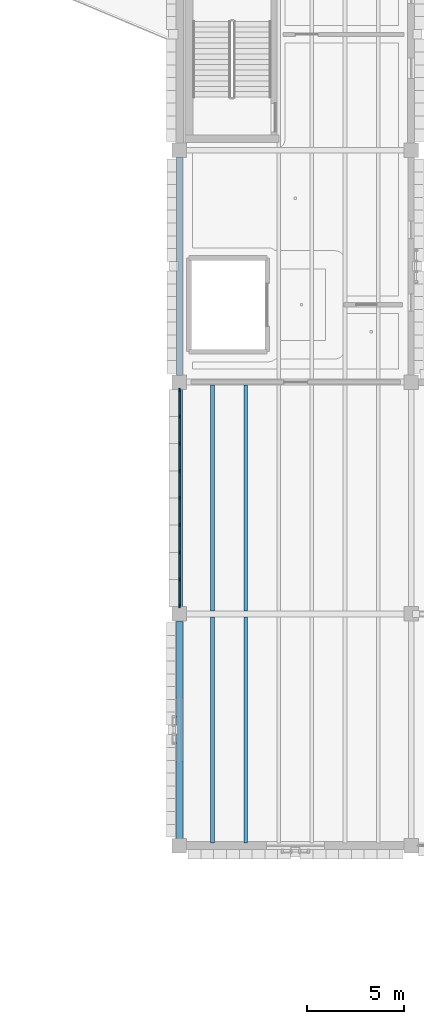
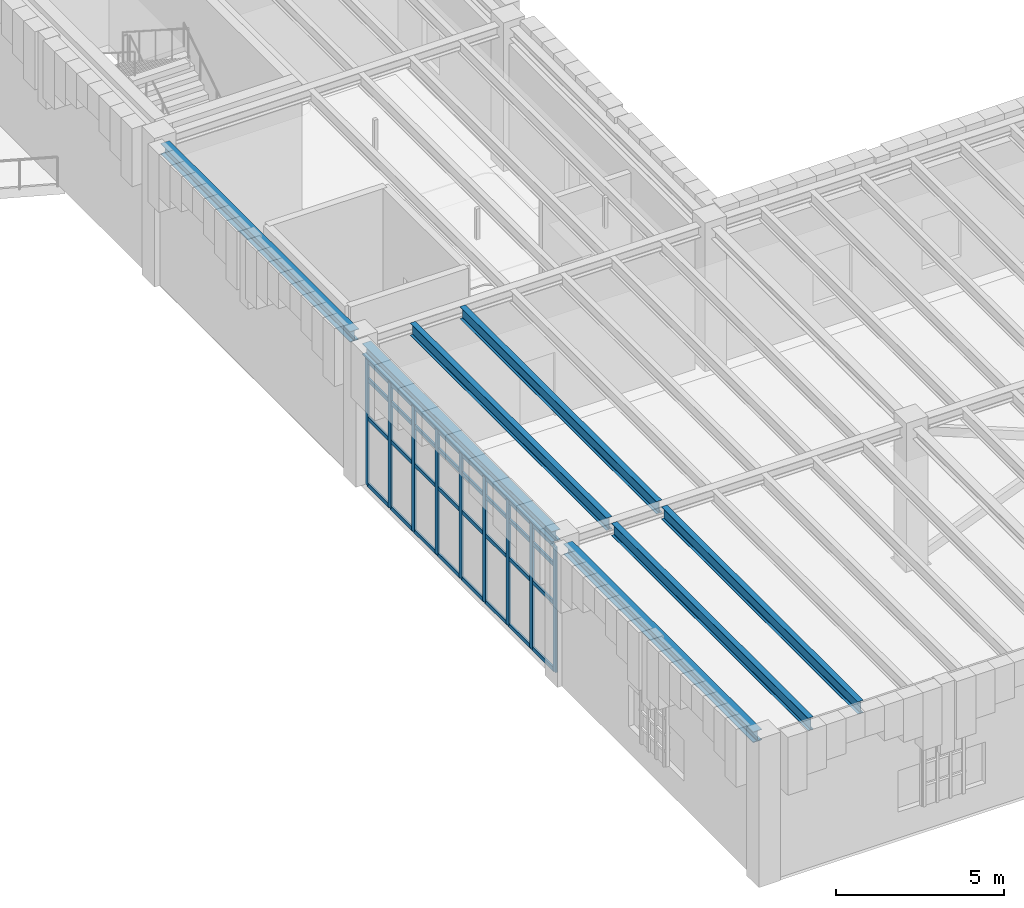
# One storey, part 16 of 103: 41 members, 7 beams, 1 element without a shape of its own.
"""IFC4 building model written with IfcOpenShell, lengths in metres."""

from ifc_helpers import new_model, si_unit, direction, frame, origin, origin_2d, place, context, subcontext, project, spatial, rectangle, i_section, extrude, material, layer, layer_set, material_profile, profile_set, type_object, element, aggregate, save


model = new_model("IFC4")

# Units and contexts
model_context = context("Model", 3, precision=1e-05, world=origin(), true_north=direction((0.0, 1.0)))
body_context = subcontext(model_context, "Body", "Model", "MODEL_VIEW")
ifc_project = project(units=[si_unit("LENGTHUNIT", "METRE"), si_unit("AREAUNIT", "SQUARE_METRE"), si_unit("VOLUMEUNIT", "CUBIC_METRE"), si_unit("PLANEANGLEUNIT", "RADIAN"), si_unit("MASSUNIT", "GRAM", prefix="KILO")], contexts=[model_context])

# Site, building, storey
site_placement = place(None, origin())
site = spatial("IfcSite", under=ifc_project, at=site_placement, CompositionType="ELEMENT")
building_placement = place(site_placement, origin())
building = spatial("IfcBuilding", under=site, at=building_placement, Name="Zlatogorsky Bluff Art Gallery", CompositionType="ELEMENT")
storey_placement = place(building_placement, origin())
storey = spatial("IfcBuildingStorey", under=building, at=storey_placement, Name="L00", CompositionType="ELEMENT", Elevation=0.0)

# Beams
ifc_material_1 = material(Name="Steel S355", Category="steel")
ifc_material_profile_1 = material_profile(ifc_material_1, i_section(OverallWidth=0.300048828125, OverallDepth=0.389892578125, WebThickness=0.010986328125, FlangeThickness=0.01904296875, FilletRadius=0.027099609375, at=origin_2d()), Name="HEA 400")
ifc_profile_set_1 = profile_set([ifc_material_profile_1], Name="Steel S355")
beam_type_1 = type_object("IfcBeamType", Name="Beam BM-09 HEA 400", PredefinedType="BEAM", material=ifc_profile_set_1)
for number, where, z_axis, x_axis, name in (
    (1, (120.0, 26.7548828125, 4.945068359375), (0.0, 1.0, 0.0), (-1.0, 0.0, 0.0), "Primary girder BM-09 L00 L/4-5"),
    (2, (120.0, 38.7548828125, 4.945068359375), (0.0, 1.0, 0.0), (-1.0, 0.0, 0.0), "Primary girder BM-09 L00 L/5-6"),
    (3, (120.0, 50.7548828125, 4.945068359375), (0.0, 1.0, 0.0), (-1.0, 0.0, 0.0), "Primary girder BM-09 L00 L/6-7"),
):
    element("IfcBeam", number, at=place(storey_placement, frame(where, z_axis=z_axis, x_axis=x_axis)), inside=storey, type_object=beam_type_1, Name=name, PredefinedType="BEAM", context=body_context, shape_type="SweptSolid", body=[
        extrude(i_section(OverallWidth=0.300048828125, OverallDepth=0.389892578125, WebThickness=0.010986328125, FlangeThickness=0.01904296875, FilletRadius=0.027099609375, at=origin_2d()), origin(), (0.0, 0.0, 1.0), 11.2900390625),
    ])
ifc_material_profile_2 = material_profile(ifc_material_1, i_section(OverallWidth=0.18994140625, OverallDepth=0.449951171875, WebThickness=0.009521484375, FlangeThickness=0.0146484375, FilletRadius=0.02099609375, at=origin_2d()), Name="IPE 450")
ifc_profile_set_2 = profile_set([ifc_material_profile_2], Name="Steel S355")
beam_type_2 = type_object("IfcBeamType", Name="Beam JS-06 IPE 450", PredefinedType="JOIST", material=ifc_profile_set_2)
for number, where, z_axis, x_axis, name in (
    (4, (121.71435546875, 26.550048828125, 4.9150390625), (0.0, 1.0, 0.0), (-1.0, 0.0, 0.0), "Composite floor joist JS-06 L00 10.03.1"),
    (5, (123.428466796875, 26.550048828125, 4.9150390625), (0.0, 1.0, 0.0), (-1.0, 0.0, 0.0), "Composite floor joist JS-06 L00 10.03.2"),
    (6, (121.71435546875, 38.550048828125, 4.9150390625), (0.0, 1.0, 0.0), (-1.0, 0.0, 0.0), "Composite floor joist JS-06 L00 10.04.1"),
    (7, (123.428466796875, 38.550048828125, 4.9150390625), (0.0, 1.0, 0.0), (-1.0, 0.0, 0.0), "Composite floor joist JS-06 L00 10.04.2"),
):
    element("IfcBeam", number, at=place(storey_placement, frame(where, z_axis=z_axis, x_axis=x_axis)), inside=storey, type_object=beam_type_2, Name=name, PredefinedType="JOIST", context=body_context, shape_type="SweptSolid", body=[
        extrude(i_section(OverallWidth=0.18994140625, OverallDepth=0.449951171875, WebThickness=0.009521484375, FlangeThickness=0.0146484375, FilletRadius=0.02099609375, at=origin_2d()), origin(), (0.0, 0.0, 1.0), 11.699951171875),
    ])

# Curtain wall, members
ifc_material_2 = material(Name="Anodised Bronze Aluminium and Low-Iron Triple Glazing", Category="aluminium")
ifc_layer = layer(ifc_material_2, 0.179931640625)
ifc_layer_set = layer_set([ifc_layer], Name="Curtain Wall CW-01")
curtain_wall_type = type_object("IfcCurtainWallType", Name="Curtain Wall CW-01", PredefinedType="USERDEFINED", material=ifc_layer_set)
curtain_wall_placement = place(storey_placement, origin())
curtain_wall = element("IfcCurtainWall", 8, at=curtain_wall_placement, inside=storey, type_object=curtain_wall_type, Name="Unitised curtain wall CW-01 L00 W 10.4", ObjectType="CURTAIN WALL", PredefinedType="USERDEFINED")
ifc_material_3 = material(Name="Anodised Bronze Aluminium", Category="aluminium")
ifc_material_profile_3 = material_profile(ifc_material_3, rectangle(XDim=0.06494140625, YDim=0.179931640625, at=origin_2d()), Name="ALU MULLION 65x180")
ifc_profile_set_3 = profile_set([ifc_material_profile_3], Name="Anodised Bronze Aluminium")
member_type_1 = type_object("IfcMemberType", Name="Curtain Mullion ML-01", PredefinedType="MULLION", material=ifc_profile_set_3)
member_1_placement = place(storey_placement, frame((120.0, 49.99755859375, 0.0), z_axis=(0.0, 0.0, 1.0), x_axis=(1.0, 0.0, 0.0)))
member_1 = element("IfcMember", 9, at=member_1_placement, type_object=member_type_1, Name="CW-01 mullion 1", PredefinedType="MULLION", context=body_context, shape_type="SweptSolid", body=[
    extrude(rectangle(XDim=0.06494140625, YDim=0.179931640625, at=origin_2d()), origin(), (0.0, 0.0, 1.0), 4.56005859375),
])
member_2_placement = place(storey_placement, frame((120.0, 48.62255859375, 0.0), z_axis=(0.0, 0.0, 1.0), x_axis=(1.0, 0.0, 0.0)))
member_2 = element("IfcMember", 10, at=member_2_placement, type_object=member_type_1, Name="CW-01 mullion 2", PredefinedType="MULLION", context=body_context, shape_type="SweptSolid", body=[
    extrude(rectangle(XDim=0.06494140625, YDim=0.179931640625, at=origin_2d()), origin(), (0.0, 0.0, 1.0), 4.56005859375),
])
member_3_placement = place(storey_placement, frame((120.0, 47.215087890625, 0.0), z_axis=(0.0, 0.0, 1.0), x_axis=(1.0, 0.0, 0.0)))
member_3 = element("IfcMember", 11, at=member_3_placement, type_object=member_type_1, Name="CW-01 mullion 3", PredefinedType="MULLION", context=body_context, shape_type="SweptSolid", body=[
    extrude(rectangle(XDim=0.06494140625, YDim=0.179931640625, at=origin_2d()), origin(), (0.0, 0.0, 1.0), 4.56005859375),
])
member_4_placement = place(storey_placement, frame((120.0, 45.8076171875, 0.0), z_axis=(0.0, 0.0, 1.0), x_axis=(1.0, 0.0, 0.0)))
member_4 = element("IfcMember", 12, at=member_4_placement, type_object=member_type_1, Name="CW-01 mullion 4", PredefinedType="MULLION", context=body_context, shape_type="SweptSolid", body=[
    extrude(rectangle(XDim=0.06494140625, YDim=0.179931640625, at=origin_2d()), origin(), (0.0, 0.0, 1.0), 4.56005859375),
])
member_5_placement = place(storey_placement, frame((120.0, 44.39990234375, 0.0), z_axis=(0.0, 0.0, 1.0), x_axis=(1.0, 0.0, 0.0)))
member_5 = element("IfcMember", 13, at=member_5_placement, type_object=member_type_1, Name="CW-01 mullion 5", PredefinedType="MULLION", context=body_context, shape_type="SweptSolid", body=[
    extrude(rectangle(XDim=0.06494140625, YDim=0.179931640625, at=origin_2d()), origin(), (0.0, 0.0, 1.0), 4.56005859375),
])
member_6_placement = place(storey_placement, frame((120.0, 42.992431640625, 0.0), z_axis=(0.0, 0.0, 1.0), x_axis=(1.0, 0.0, 0.0)))
member_6 = element("IfcMember", 14, at=member_6_placement, type_object=member_type_1, Name="CW-01 mullion 6", PredefinedType="MULLION", context=body_context, shape_type="SweptSolid", body=[
    extrude(rectangle(XDim=0.06494140625, YDim=0.179931640625, at=origin_2d()), origin(), (0.0, 0.0, 1.0), 4.56005859375),
])
member_7_placement = place(storey_placement, frame((120.0, 41.5849609375, 0.0), z_axis=(0.0, 0.0, 1.0), x_axis=(1.0, 0.0, 0.0)))
member_7 = element("IfcMember", 15, at=member_7_placement, type_object=member_type_1, Name="CW-01 mullion 7", PredefinedType="MULLION", context=body_context, shape_type="SweptSolid", body=[
    extrude(rectangle(XDim=0.06494140625, YDim=0.179931640625, at=origin_2d()), origin(), (0.0, 0.0, 1.0), 4.56005859375),
])
member_8_placement = place(storey_placement, frame((120.0, 40.177490234375, 0.0), z_axis=(0.0, 0.0, 1.0), x_axis=(1.0, 0.0, 0.0)))
member_8 = element("IfcMember", 16, at=member_8_placement, type_object=member_type_1, Name="CW-01 mullion 8", PredefinedType="MULLION", context=body_context, shape_type="SweptSolid", body=[
    extrude(rectangle(XDim=0.06494140625, YDim=0.179931640625, at=origin_2d()), origin(), (0.0, 0.0, 1.0), 4.56005859375),
])
member_9_placement = place(storey_placement, frame((120.0, 38.802490234375, 0.0), z_axis=(0.0, 0.0, 1.0), x_axis=(1.0, 0.0, 0.0)))
member_9 = element("IfcMember", 17, at=member_9_placement, type_object=member_type_1, Name="CW-01 mullion 9", PredefinedType="MULLION", context=body_context, shape_type="SweptSolid", body=[
    extrude(rectangle(XDim=0.06494140625, YDim=0.179931640625, at=origin_2d()), origin(), (0.0, 0.0, 1.0), 4.56005859375),
])
ifc_material_profile_4 = material_profile(ifc_material_3, rectangle(XDim=0.06494140625, YDim=0.139892578125, at=origin_2d()), Name="ALU TRANSOM 65x140")
ifc_profile_set_4 = profile_set([ifc_material_profile_4], Name="Anodised Bronze Aluminium")
member_type_2 = type_object("IfcMemberType", Name="Curtain Transom TR-01", PredefinedType="USERDEFINED", material=ifc_profile_set_4)
member_10_placement = place(storey_placement, frame((120.0, 49.965087890625, 0.032470703125), z_axis=(0.0, -1.0, 0.0), x_axis=(1.0, 0.0, 0.0)))
member_10 = element("IfcMember", 18, at=member_10_placement, type_object=member_type_2, Name="CW-01 transom 1.1", ObjectType="TRANSOM", PredefinedType="USERDEFINED", context=body_context, shape_type="SweptSolid", body=[
    extrude(rectangle(XDim=0.06494140625, YDim=0.139892578125, at=origin_2d()), origin(), (0.0, 0.0, 1.0), 1.31005859375),
])
member_11_placement = place(storey_placement, frame((120.0, 49.965087890625, 2.449951171875), z_axis=(0.0, -1.0, 0.0), x_axis=(1.0, 0.0, 0.0)))
member_11 = element("IfcMember", 19, at=member_11_placement, type_object=member_type_2, Name="CW-01 transom 1.2", ObjectType="TRANSOM", PredefinedType="USERDEFINED", context=body_context, shape_type="SweptSolid", body=[
    extrude(rectangle(XDim=0.06494140625, YDim=0.139892578125, at=origin_2d()), origin(), (0.0, 0.0, 1.0), 1.31005859375),
])
member_12_placement = place(storey_placement, frame((120.0, 49.965087890625, 3.85009765625), z_axis=(0.0, -1.0, 0.0), x_axis=(1.0, 0.0, 0.0)))
member_12 = element("IfcMember", 20, at=member_12_placement, type_object=member_type_2, Name="CW-01 transom 1.3", ObjectType="TRANSOM", PredefinedType="USERDEFINED", context=body_context, shape_type="SweptSolid", body=[
    extrude(rectangle(XDim=0.06494140625, YDim=0.139892578125, at=origin_2d()), origin(), (0.0, 0.0, 1.0), 1.31005859375),
])
member_13_placement = place(storey_placement, frame((120.0, 49.965087890625, 4.527587890625), z_axis=(0.0, -1.0, 0.0), x_axis=(1.0, 0.0, 0.0)))
member_13 = element("IfcMember", 21, at=member_13_placement, type_object=member_type_2, Name="CW-01 transom 1.4", ObjectType="TRANSOM", PredefinedType="USERDEFINED", context=body_context, shape_type="SweptSolid", body=[
    extrude(rectangle(XDim=0.06494140625, YDim=0.139892578125, at=origin_2d()), origin(), (0.0, 0.0, 1.0), 1.31005859375),
])
member_14_placement = place(storey_placement, frame((120.0, 48.590087890625, 0.032470703125), z_axis=(0.0, -1.0, 0.0), x_axis=(1.0, 0.0, 0.0)))
member_14 = element("IfcMember", 22, at=member_14_placement, type_object=member_type_2, Name="CW-01 transom 2.1", ObjectType="TRANSOM", PredefinedType="USERDEFINED", context=body_context, shape_type="SweptSolid", body=[
    extrude(rectangle(XDim=0.06494140625, YDim=0.139892578125, at=origin_2d()), origin(), (0.0, 0.0, 1.0), 1.342529296875),
])
member_15_placement = place(storey_placement, frame((120.0, 48.590087890625, 2.449951171875), z_axis=(0.0, -1.0, 0.0), x_axis=(1.0, 0.0, 0.0)))
member_15 = element("IfcMember", 23, at=member_15_placement, type_object=member_type_2, Name="CW-01 transom 2.2", ObjectType="TRANSOM", PredefinedType="USERDEFINED", context=body_context, shape_type="SweptSolid", body=[
    extrude(rectangle(XDim=0.06494140625, YDim=0.139892578125, at=origin_2d()), origin(), (0.0, 0.0, 1.0), 1.342529296875),
])
member_16_placement = place(storey_placement, frame((120.0, 48.590087890625, 3.85009765625), z_axis=(0.0, -1.0, 0.0), x_axis=(1.0, 0.0, 0.0)))
member_16 = element("IfcMember", 24, at=member_16_placement, type_object=member_type_2, Name="CW-01 transom 2.3", ObjectType="TRANSOM", PredefinedType="USERDEFINED", context=body_context, shape_type="SweptSolid", body=[
    extrude(rectangle(XDim=0.06494140625, YDim=0.139892578125, at=origin_2d()), origin(), (0.0, 0.0, 1.0), 1.342529296875),
])
member_17_placement = place(storey_placement, frame((120.0, 48.590087890625, 4.527587890625), z_axis=(0.0, -1.0, 0.0), x_axis=(1.0, 0.0, 0.0)))
member_17 = element("IfcMember", 25, at=member_17_placement, type_object=member_type_2, Name="CW-01 transom 2.4", ObjectType="TRANSOM", PredefinedType="USERDEFINED", context=body_context, shape_type="SweptSolid", body=[
    extrude(rectangle(XDim=0.06494140625, YDim=0.139892578125, at=origin_2d()), origin(), (0.0, 0.0, 1.0), 1.342529296875),
])
member_18_placement = place(storey_placement, frame((120.0, 47.1826171875, 0.032470703125), z_axis=(0.0, -1.0, 0.0), x_axis=(1.0, 0.0, 0.0)))
member_18 = element("IfcMember", 26, at=member_18_placement, type_object=member_type_2, Name="CW-01 transom 3.1", ObjectType="TRANSOM", PredefinedType="USERDEFINED", context=body_context, shape_type="SweptSolid", body=[
    extrude(rectangle(XDim=0.06494140625, YDim=0.139892578125, at=origin_2d()), origin(), (0.0, 0.0, 1.0), 1.342529296875),
])
member_19_placement = place(storey_placement, frame((120.0, 47.1826171875, 2.449951171875), z_axis=(0.0, -1.0, 0.0), x_axis=(1.0, 0.0, 0.0)))
member_19 = element("IfcMember", 27, at=member_19_placement, type_object=member_type_2, Name="CW-01 transom 3.2", ObjectType="TRANSOM", PredefinedType="USERDEFINED", context=body_context, shape_type="SweptSolid", body=[
    extrude(rectangle(XDim=0.06494140625, YDim=0.139892578125, at=origin_2d()), origin(), (0.0, 0.0, 1.0), 1.342529296875),
])
member_20_placement = place(storey_placement, frame((120.0, 47.1826171875, 3.85009765625), z_axis=(0.0, -1.0, 0.0), x_axis=(1.0, 0.0, 0.0)))
member_20 = element("IfcMember", 28, at=member_20_placement, type_object=member_type_2, Name="CW-01 transom 3.3", ObjectType="TRANSOM", PredefinedType="USERDEFINED", context=body_context, shape_type="SweptSolid", body=[
    extrude(rectangle(XDim=0.06494140625, YDim=0.139892578125, at=origin_2d()), origin(), (0.0, 0.0, 1.0), 1.342529296875),
])
member_21_placement = place(storey_placement, frame((120.0, 47.1826171875, 4.527587890625), z_axis=(0.0, -1.0, 0.0), x_axis=(1.0, 0.0, 0.0)))
member_21 = element("IfcMember", 29, at=member_21_placement, type_object=member_type_2, Name="CW-01 transom 3.4", ObjectType="TRANSOM", PredefinedType="USERDEFINED", context=body_context, shape_type="SweptSolid", body=[
    extrude(rectangle(XDim=0.06494140625, YDim=0.139892578125, at=origin_2d()), origin(), (0.0, 0.0, 1.0), 1.342529296875),
])
member_22_placement = place(storey_placement, frame((120.0, 45.77490234375, 0.032470703125), z_axis=(0.0, -1.0, 0.0), x_axis=(1.0, 0.0, 0.0)))
member_22 = element("IfcMember", 30, at=member_22_placement, type_object=member_type_2, Name="CW-01 transom 4.1", ObjectType="TRANSOM", PredefinedType="USERDEFINED", context=body_context, shape_type="SweptSolid", body=[
    extrude(rectangle(XDim=0.06494140625, YDim=0.139892578125, at=origin_2d()), origin(), (0.0, 0.0, 1.0), 1.34228515625),
])
member_23_placement = place(storey_placement, frame((120.0, 45.77490234375, 2.449951171875), z_axis=(0.0, -1.0, 0.0), x_axis=(1.0, 0.0, 0.0)))
member_23 = element("IfcMember", 31, at=member_23_placement, type_object=member_type_2, Name="CW-01 transom 4.2", ObjectType="TRANSOM", PredefinedType="USERDEFINED", context=body_context, shape_type="SweptSolid", body=[
    extrude(rectangle(XDim=0.06494140625, YDim=0.139892578125, at=origin_2d()), origin(), (0.0, 0.0, 1.0), 1.34228515625),
])
member_24_placement = place(storey_placement, frame((120.0, 45.77490234375, 3.85009765625), z_axis=(0.0, -1.0, 0.0), x_axis=(1.0, 0.0, 0.0)))
member_24 = element("IfcMember", 32, at=member_24_placement, type_object=member_type_2, Name="CW-01 transom 4.3", ObjectType="TRANSOM", PredefinedType="USERDEFINED", context=body_context, shape_type="SweptSolid", body=[
    extrude(rectangle(XDim=0.06494140625, YDim=0.139892578125, at=origin_2d()), origin(), (0.0, 0.0, 1.0), 1.34228515625),
])
member_25_placement = place(storey_placement, frame((120.0, 45.77490234375, 4.527587890625), z_axis=(0.0, -1.0, 0.0), x_axis=(1.0, 0.0, 0.0)))
member_25 = element("IfcMember", 33, at=member_25_placement, type_object=member_type_2, Name="CW-01 transom 4.4", ObjectType="TRANSOM", PredefinedType="USERDEFINED", context=body_context, shape_type="SweptSolid", body=[
    extrude(rectangle(XDim=0.06494140625, YDim=0.139892578125, at=origin_2d()), origin(), (0.0, 0.0, 1.0), 1.34228515625),
])
member_26_placement = place(storey_placement, frame((120.0, 44.367431640625, 0.032470703125), z_axis=(0.0, -1.0, 0.0), x_axis=(1.0, 0.0, 0.0)))
member_26 = element("IfcMember", 34, at=member_26_placement, type_object=member_type_2, Name="CW-01 transom 5.1", ObjectType="TRANSOM", PredefinedType="USERDEFINED", context=body_context, shape_type="SweptSolid", body=[
    extrude(rectangle(XDim=0.06494140625, YDim=0.139892578125, at=origin_2d()), origin(), (0.0, 0.0, 1.0), 1.342529296875),
])
member_27_placement = place(storey_placement, frame((120.0, 44.367431640625, 2.449951171875), z_axis=(0.0, -1.0, 0.0), x_axis=(1.0, 0.0, 0.0)))
member_27 = element("IfcMember", 35, at=member_27_placement, type_object=member_type_2, Name="CW-01 transom 5.2", ObjectType="TRANSOM", PredefinedType="USERDEFINED", context=body_context, shape_type="SweptSolid", body=[
    extrude(rectangle(XDim=0.06494140625, YDim=0.139892578125, at=origin_2d()), origin(), (0.0, 0.0, 1.0), 1.342529296875),
])
member_28_placement = place(storey_placement, frame((120.0, 44.367431640625, 3.85009765625), z_axis=(0.0, -1.0, 0.0), x_axis=(1.0, 0.0, 0.0)))
member_28 = element("IfcMember", 36, at=member_28_placement, type_object=member_type_2, Name="CW-01 transom 5.3", ObjectType="TRANSOM", PredefinedType="USERDEFINED", context=body_context, shape_type="SweptSolid", body=[
    extrude(rectangle(XDim=0.06494140625, YDim=0.139892578125, at=origin_2d()), origin(), (0.0, 0.0, 1.0), 1.342529296875),
])
member_29_placement = place(storey_placement, frame((120.0, 44.367431640625, 4.527587890625), z_axis=(0.0, -1.0, 0.0), x_axis=(1.0, 0.0, 0.0)))
member_29 = element("IfcMember", 37, at=member_29_placement, type_object=member_type_2, Name="CW-01 transom 5.4", ObjectType="TRANSOM", PredefinedType="USERDEFINED", context=body_context, shape_type="SweptSolid", body=[
    extrude(rectangle(XDim=0.06494140625, YDim=0.139892578125, at=origin_2d()), origin(), (0.0, 0.0, 1.0), 1.342529296875),
])
member_30_placement = place(storey_placement, frame((120.0, 42.9599609375, 0.032470703125), z_axis=(0.0, -1.0, 0.0), x_axis=(1.0, 0.0, 0.0)))
member_30 = element("IfcMember", 38, at=member_30_placement, type_object=member_type_2, Name="CW-01 transom 6.1", ObjectType="TRANSOM", PredefinedType="USERDEFINED", context=body_context, shape_type="SweptSolid", body=[
    extrude(rectangle(XDim=0.06494140625, YDim=0.139892578125, at=origin_2d()), origin(), (0.0, 0.0, 1.0), 1.342529296875),
])
member_31_placement = place(storey_placement, frame((120.0, 42.9599609375, 2.449951171875), z_axis=(0.0, -1.0, 0.0), x_axis=(1.0, 0.0, 0.0)))
member_31 = element("IfcMember", 39, at=member_31_placement, type_object=member_type_2, Name="CW-01 transom 6.2", ObjectType="TRANSOM", PredefinedType="USERDEFINED", context=body_context, shape_type="SweptSolid", body=[
    extrude(rectangle(XDim=0.06494140625, YDim=0.139892578125, at=origin_2d()), origin(), (0.0, 0.0, 1.0), 1.342529296875),
])
member_32_placement = place(storey_placement, frame((120.0, 42.9599609375, 3.85009765625), z_axis=(0.0, -1.0, 0.0), x_axis=(1.0, 0.0, 0.0)))
member_32 = element("IfcMember", 40, at=member_32_placement, type_object=member_type_2, Name="CW-01 transom 6.3", ObjectType="TRANSOM", PredefinedType="USERDEFINED", context=body_context, shape_type="SweptSolid", body=[
    extrude(rectangle(XDim=0.06494140625, YDim=0.139892578125, at=origin_2d()), origin(), (0.0, 0.0, 1.0), 1.342529296875),
])
member_33_placement = place(storey_placement, frame((120.0, 42.9599609375, 4.527587890625), z_axis=(0.0, -1.0, 0.0), x_axis=(1.0, 0.0, 0.0)))
member_33 = element("IfcMember", 41, at=member_33_placement, type_object=member_type_2, Name="CW-01 transom 6.4", ObjectType="TRANSOM", PredefinedType="USERDEFINED", context=body_context, shape_type="SweptSolid", body=[
    extrude(rectangle(XDim=0.06494140625, YDim=0.139892578125, at=origin_2d()), origin(), (0.0, 0.0, 1.0), 1.342529296875),
])
member_34_placement = place(storey_placement, frame((120.0, 41.552490234375, 0.032470703125), z_axis=(0.0, -1.0, 0.0), x_axis=(1.0, 0.0, 0.0)))
member_34 = element("IfcMember", 42, at=member_34_placement, type_object=member_type_2, Name="CW-01 transom 7.1", ObjectType="TRANSOM", PredefinedType="USERDEFINED", context=body_context, shape_type="SweptSolid", body=[
    extrude(rectangle(XDim=0.06494140625, YDim=0.139892578125, at=origin_2d()), origin(), (0.0, 0.0, 1.0), 1.342529296875),
])
member_35_placement = place(storey_placement, frame((120.0, 41.552490234375, 2.449951171875), z_axis=(0.0, -1.0, 0.0), x_axis=(1.0, 0.0, 0.0)))
member_35 = element("IfcMember", 43, at=member_35_placement, type_object=member_type_2, Name="CW-01 transom 7.2", ObjectType="TRANSOM", PredefinedType="USERDEFINED", context=body_context, shape_type="SweptSolid", body=[
    extrude(rectangle(XDim=0.06494140625, YDim=0.139892578125, at=origin_2d()), origin(), (0.0, 0.0, 1.0), 1.342529296875),
])
member_36_placement = place(storey_placement, frame((120.0, 41.552490234375, 3.85009765625), z_axis=(0.0, -1.0, 0.0), x_axis=(1.0, 0.0, 0.0)))
member_36 = element("IfcMember", 44, at=member_36_placement, type_object=member_type_2, Name="CW-01 transom 7.3", ObjectType="TRANSOM", PredefinedType="USERDEFINED", context=body_context, shape_type="SweptSolid", body=[
    extrude(rectangle(XDim=0.06494140625, YDim=0.139892578125, at=origin_2d()), origin(), (0.0, 0.0, 1.0), 1.342529296875),
])
member_37_placement = place(storey_placement, frame((120.0, 41.552490234375, 4.527587890625), z_axis=(0.0, -1.0, 0.0), x_axis=(1.0, 0.0, 0.0)))
member_37 = element("IfcMember", 45, at=member_37_placement, type_object=member_type_2, Name="CW-01 transom 7.4", ObjectType="TRANSOM", PredefinedType="USERDEFINED", context=body_context, shape_type="SweptSolid", body=[
    extrude(rectangle(XDim=0.06494140625, YDim=0.139892578125, at=origin_2d()), origin(), (0.0, 0.0, 1.0), 1.342529296875),
])
member_38_placement = place(storey_placement, frame((120.0, 40.14501953125, 0.032470703125), z_axis=(0.0, -1.0, 0.0), x_axis=(1.0, 0.0, 0.0)))
member_38 = element("IfcMember", 46, at=member_38_placement, type_object=member_type_2, Name="CW-01 transom 8.1", ObjectType="TRANSOM", PredefinedType="USERDEFINED", context=body_context, shape_type="SweptSolid", body=[
    extrude(rectangle(XDim=0.06494140625, YDim=0.139892578125, at=origin_2d()), origin(), (0.0, 0.0, 1.0), 1.31005859375),
])
member_39_placement = place(storey_placement, frame((120.0, 40.14501953125, 2.449951171875), z_axis=(0.0, -1.0, 0.0), x_axis=(1.0, 0.0, 0.0)))
member_39 = element("IfcMember", 47, at=member_39_placement, type_object=member_type_2, Name="CW-01 transom 8.2", ObjectType="TRANSOM", PredefinedType="USERDEFINED", context=body_context, shape_type="SweptSolid", body=[
    extrude(rectangle(XDim=0.06494140625, YDim=0.139892578125, at=origin_2d()), origin(), (0.0, 0.0, 1.0), 1.31005859375),
])
member_40_placement = place(storey_placement, frame((120.0, 40.14501953125, 3.85009765625), z_axis=(0.0, -1.0, 0.0), x_axis=(1.0, 0.0, 0.0)))
member_40 = element("IfcMember", 48, at=member_40_placement, type_object=member_type_2, Name="CW-01 transom 8.3", ObjectType="TRANSOM", PredefinedType="USERDEFINED", context=body_context, shape_type="SweptSolid", body=[
    extrude(rectangle(XDim=0.06494140625, YDim=0.139892578125, at=origin_2d()), origin(), (0.0, 0.0, 1.0), 1.31005859375),
])
member_41_placement = place(storey_placement, frame((120.0, 40.14501953125, 4.527587890625), z_axis=(0.0, -1.0, 0.0), x_axis=(1.0, 0.0, 0.0)))
member_41 = element("IfcMember", 49, at=member_41_placement, type_object=member_type_2, Name="CW-01 transom 8.4", ObjectType="TRANSOM", PredefinedType="USERDEFINED", context=body_context, shape_type="SweptSolid", body=[
    extrude(rectangle(XDim=0.06494140625, YDim=0.139892578125, at=origin_2d()), origin(), (0.0, 0.0, 1.0), 1.31005859375),
])
aggregate(curtain_wall, [member_1, member_2, member_3, member_4, member_5, member_6, member_7, member_8, member_9, member_10, member_11, member_12, member_13, member_14, member_15, member_16, member_17, member_18, member_19, member_20, member_21, member_22, member_23, member_24, member_25, member_26, member_27, member_28, member_29, member_30, member_31, member_32, member_33, member_34, member_35, member_36, member_37, member_38, member_39, member_40, member_41])

save(model, "model.ifc")
